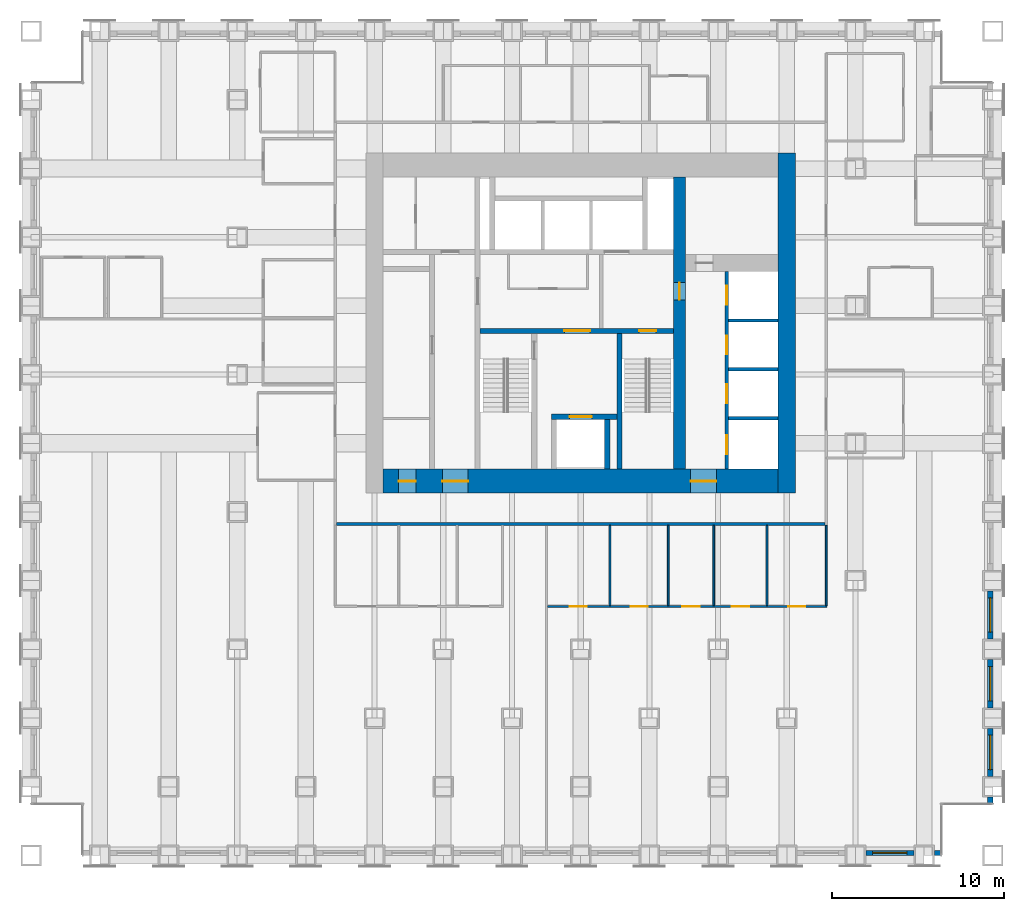
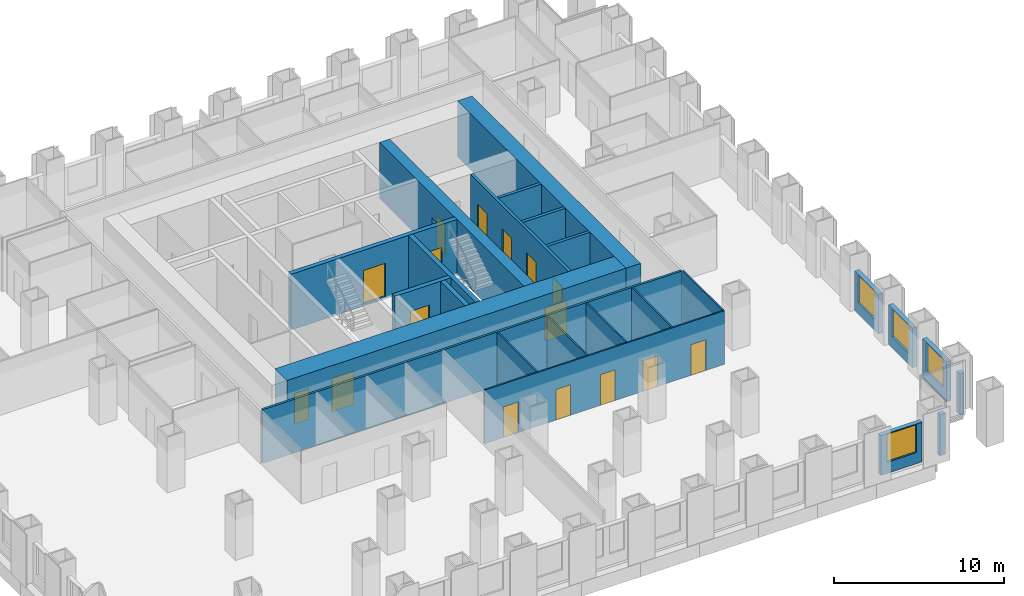
# One storey, part 10 of 15: 24 walls, 16 doors, 4 windows, 20 openings.
"""IFC4 building model written with IfcOpenShell, lengths in metres."""

from ifc_helpers import new_model, si_unit, direction, frame, frame_2d, origin, place, context, subcontext, project, spatial, rectangle, extrude, material, layer, layer_set, type_object, element, fill, save


model = new_model("IFC4")

# Units and contexts
model_context = context("Model", 3, precision=1e-05, world=origin(), true_north=direction((0.0, 1.0)))
body_context = subcontext(model_context, "Body", "Model", "MODEL_VIEW")
ifc_project = project(units=[si_unit("LENGTHUNIT", "METRE"), si_unit("AREAUNIT", "SQUARE_METRE"), si_unit("VOLUMEUNIT", "CUBIC_METRE"), si_unit("PLANEANGLEUNIT", "RADIAN"), si_unit("MASSUNIT", "GRAM", prefix="KILO")], contexts=[model_context])

# Site, building, storey
site_placement = place(None, origin())
site = spatial("IfcSite", under=ifc_project, at=site_placement, CompositionType="ELEMENT")
building_placement = place(site_placement, origin())
building = spatial("IfcBuilding", under=site, at=building_placement, Name="Rimbunsela Tower", CompositionType="ELEMENT")
storey_placement = place(building_placement, frame((0.0, 0.0, 19.0)))
storey = spatial("IfcBuildingStorey", under=building, at=storey_placement, Name="L04", CompositionType="ELEMENT", Elevation=19.0)

# Wall, openings, doors
ifc_material_1 = material(Name="Concrete fc' 80 MPa", Category="concrete")
ifc_layer_1 = layer(ifc_material_1, 0.300048828125)
ifc_layer_set_1 = layer_set([ifc_layer_1], Name="Core internal wall 300")
wall_type_1 = type_object("IfcWallType", Name="Core internal wall 300", PredefinedType="SHEAR", material=ifc_layer_set_1)
wall_1_placement = place(storey_placement, frame((24.14990234375, 26.550048828125, -0.14990234375), z_axis=(0.0, 0.0, 1.0), x_axis=(1.0, 0.0, 0.0)))
wall_1 = element("IfcWall", 1, at=wall_1_placement, inside=storey, type_object=wall_type_1, Name="Core wall lobby south", PredefinedType="SHEAR", context=body_context, shape_type="SweptSolid", body=[
    extrude(rectangle(XDim=11.25, YDim=0.300048828125, at=frame_2d((5.625, 0.0))), origin(), (0.0, 0.0, 1.0), 4.0),
])
opening_1_placement = place(wall_1_placement, frame((9.25, 0.0, 0.14990234375)))
opening_1 = element("IfcOpeningElement", 2, at=opening_1_placement, cuts=wall_1, Name="Opening D01", PredefinedType="OPENING", context=body_context, shape_type="SweptSolid", body=[
    extrude(rectangle(XDim=1.0, YDim=2.199951171875, at=frame_2d((0.5, 1.10009765625))), frame((0.0, 0.159912109375, 0.0), z_axis=(0.0, -1.0, 0.0), x_axis=(1.0, 0.0, 0.0)), (0.0, 0.0, 1.0), 0.320068359375),
])
opening_2_placement = place(wall_1_placement, frame((4.89990234375, 0.0, 0.14990234375)))
opening_2 = element("IfcOpeningElement", 3, at=opening_2_placement, cuts=wall_1, Name="Opening D03", PredefinedType="OPENING", context=body_context, shape_type="SweptSolid", body=[
    extrude(rectangle(XDim=1.5, YDim=2.39990234375, at=frame_2d((0.75, 1.199951171875))), frame((0.0, 0.159912109375, 0.0), z_axis=(0.0, -1.0, 0.0), x_axis=(1.0, 0.0, 0.0)), (0.0, 0.0, 1.0), 0.320068359375),
])
ifc_material_2 = material(Name="Steel door, fire rated", Category="steel")
door_type_1 = type_object("IfcDoorType", Name="Core lobby door 1500", OperationType="DOUBLE_DOOR_DOUBLE_SWING", PredefinedType="DOOR", material=ifc_material_2)
door_1_placement = place(opening_2_placement, origin())
door_1 = element("IfcDoor", 4, at=door_1_placement, inside=storey, type_object=door_type_1, Name="Firefighting lobby door", OperationType="DOUBLE_DOOR_DOUBLE_SWING", OverallHeight=2.39990234375, OverallWidth=1.5, PredefinedType="DOOR", context=body_context, shape_type="SweptSolid", body=[
    extrude(rectangle(XDim=1.5, YDim=2.39990234375, at=frame_2d((0.75, 1.199951171875))), frame((0.0, 0.02490234375, 0.0), z_axis=(0.0, -1.0, 0.0), x_axis=(1.0, 0.0, 0.0)), (0.0, 0.0, 1.0), 0.050048828125),
])
fill(opening_2, door_1)
ifc_material_3 = material(Name="Steel door, fire rated", Category="steel")
door_type_2 = type_object("IfcDoorType", Name="Stair door 1000", OperationType="SINGLE_SWING_RIGHT", PredefinedType="DOOR", material=ifc_material_3)
door_2_placement = place(opening_1_placement, frame((1.0, 0.0, 0.0), z_axis=(0.0, 0.0, 1.0), x_axis=(-1.0, 0.0, 0.0)))
door_2 = element("IfcDoor", 5, at=door_2_placement, inside=storey, type_object=door_type_2, Name="Stair B door", OperationType="SINGLE_SWING_RIGHT", OverallHeight=2.199951171875, OverallWidth=1.0, PredefinedType="DOOR", context=body_context, shape_type="SweptSolid", body=[
    extrude(rectangle(XDim=1.0, YDim=2.199951171875, at=frame_2d((0.5, 1.10009765625))), frame((0.0, 0.02490234375, 0.0), z_axis=(0.0, -1.0, 0.0), x_axis=(1.0, 0.0, 0.0)), (0.0, 0.0, 1.0), 0.050048828125),
])
fill(opening_1, door_2)

# Walls
wall_2_placement = place(storey_placement, frame((32.25, 18.5, -0.14990234375), z_axis=(0.0, 0.0, 1.0), x_axis=(0.0, 1.0, 0.0)))
element("IfcWall", 6, at=wall_2_placement, inside=storey, type_object=wall_type_1, Name="Stair B enclosure", PredefinedType="SHEAR", context=body_context, shape_type="SweptSolid", body=[
    extrude(rectangle(XDim=7.89990234375, YDim=0.300048828125, at=frame_2d((3.949951171875, 0.0))), origin(), (0.0, 0.0, 1.0), 4.0),
])
wall_3_placement = place(storey_placement, frame((31.550048828125, 18.5, -0.14990234375), z_axis=(0.0, 0.0, 1.0), x_axis=(0.0, 1.0, 0.0)))
element("IfcWall", 7, at=wall_3_placement, inside=storey, type_object=wall_type_1, Name="Firefighting lift shaft east", PredefinedType="SHEAR", context=body_context, shape_type="SweptSolid", body=[
    extrude(rectangle(XDim=2.89990234375, YDim=0.300048828125, at=frame_2d((1.449951171875, 0.0))), origin(), (0.0, 0.0, 1.0), 4.0),
])

# Wall, opening, door
wall_4_placement = place(storey_placement, frame((28.300048828125, 21.550048828125, -0.14990234375), z_axis=(0.0, 0.0, 1.0), x_axis=(1.0, 0.0, 0.0)))
wall_4 = element("IfcWall", 8, at=wall_4_placement, inside=storey, type_object=wall_type_1, Name="Firefighting lift shaft front", PredefinedType="SHEAR", context=body_context, shape_type="SweptSolid", body=[
    extrude(rectangle(XDim=3.800048828125, YDim=0.300048828125, at=frame_2d((1.89990234375, 0.0))), origin(), (0.0, 0.0, 1.0), 4.0),
])
opening_3_placement = place(wall_4_placement, frame((1.050048828125, 0.0, 0.14990234375)))
opening_3 = element("IfcOpeningElement", 9, at=opening_3_placement, cuts=wall_4, Name="Opening LD2", PredefinedType="OPENING", context=body_context, shape_type="SweptSolid", body=[
    extrude(rectangle(XDim=1.300048828125, YDim=2.39990234375, at=frame_2d((0.64990234375, 1.199951171875))), frame((0.0, 0.159912109375, 0.0), z_axis=(0.0, -1.0, 0.0), x_axis=(1.0, 0.0, 0.0)), (0.0, 0.0, 1.0), 0.320068359375),
])
ifc_material_4 = material(Name="Steel door, fire rated", Category="steel")
door_type_3 = type_object("IfcDoorType", Name="Lift landing door 1300", OperationType="DOUBLE_DOOR_SLIDING", PredefinedType="DOOR", material=ifc_material_4)
door_3_placement = place(opening_3_placement, origin())
door_3 = element("IfcDoor", 10, at=door_3_placement, inside=storey, type_object=door_type_3, Name="Lift landing door FL1", OperationType="DOUBLE_DOOR_SLIDING", OverallHeight=2.39990234375, OverallWidth=1.300048828125, PredefinedType="DOOR", context=body_context, shape_type="SweptSolid", body=[
    extrude(rectangle(XDim=1.300048828125, YDim=2.39990234375, at=frame_2d((0.64990234375, 1.199951171875))), frame((0.0, 0.02490234375, 0.0), z_axis=(0.0, -1.0, 0.0), x_axis=(1.0, 0.0, 0.0)), (0.0, 0.0, 1.0), 0.050048828125),
])
fill(opening_3, door_3)

# Wall
ifc_material_5 = material(Name="Concrete fc' 80 MPa", Category="concrete")
ifc_layer_2 = layer(ifc_material_5, 1.0)
ifc_layer_set_2 = layer_set([ifc_layer_2], Name="Core wall 1000")
wall_type_2 = type_object("IfcWallType", Name="Core wall 1000", PredefinedType="SHEAR", material=ifc_layer_set_2)
wall_5_placement = place(storey_placement, frame((42.0, 17.10009765625, -0.14990234375), z_axis=(0.0, 0.0, 1.0), x_axis=(0.0, 1.0, 0.0)))
element("IfcWall", 11, at=wall_5_placement, inside=storey, type_object=wall_type_2, Name="Core wall east", PredefinedType="SHEAR", context=body_context, shape_type="SweptSolid", body=[
    extrude(rectangle(XDim=19.7998046875, YDim=1.0, at=frame_2d((9.89990234375, 0.0))), origin(), (0.0, 0.0, 1.0), 4.0),
])

# Wall, openings, doors
ifc_material_6 = material(Name="Concrete fc' 80 MPa", Category="concrete")
ifc_layer_3 = layer(ifc_material_6, 1.39990234375)
ifc_layer_set_3 = layer_set([ifc_layer_3], Name="Core wall 1400")
wall_type_3 = type_object("IfcWallType", Name="Core wall 1400", PredefinedType="SHEAR", material=ifc_layer_set_3)
wall_6_placement = place(storey_placement, frame((18.5, 17.800048828125, -0.14990234375), z_axis=(0.0, 0.0, 1.0), x_axis=(1.0, 0.0, 0.0)))
wall_6 = element("IfcWall", 12, at=wall_6_placement, inside=storey, type_object=wall_type_3, Name="Core wall south", PredefinedType="SHEAR", context=body_context, shape_type="SweptSolid", body=[
    extrude(rectangle(XDim=23.0, YDim=1.39990234375, at=frame_2d((11.5, 0.0))), origin(), (0.0, 0.0, 1.0), 4.0),
])
opening_4_placement = place(wall_6_placement, frame((3.449951171875, 0.0, 0.14990234375)))
opening_4 = element("IfcOpeningElement", 13, at=opening_4_placement, cuts=wall_6, Name="Opening D03", PredefinedType="OPENING", context=body_context, shape_type="SweptSolid", body=[
    extrude(rectangle(XDim=1.5, YDim=2.39990234375, at=frame_2d((0.75, 1.199951171875))), frame((0.0, 0.7099609375, 0.0), z_axis=(0.0, -1.0, 0.0), x_axis=(1.0, 0.0, 0.0)), (0.0, 0.0, 1.0), 1.419921875),
])
opening_5_placement = place(wall_6_placement, frame((17.89990234375, 0.0, 0.14990234375)))
opening_5 = element("IfcOpeningElement", 14, at=opening_5_placement, cuts=wall_6, Name="Opening D03", PredefinedType="OPENING", context=body_context, shape_type="SweptSolid", body=[
    extrude(rectangle(XDim=1.5, YDim=2.39990234375, at=frame_2d((0.75, 1.199951171875))), frame((0.0, 0.7099609375, 0.0), z_axis=(0.0, -1.0, 0.0), x_axis=(1.0, 0.0, 0.0)), (0.0, 0.0, 1.0), 1.419921875),
])
opening_6_placement = place(wall_6_placement, frame((0.89990234375, 0.0, 0.14990234375)))
opening_6 = element("IfcOpeningElement", 15, at=opening_6_placement, cuts=wall_6, Name="Opening D19", PredefinedType="OPENING", context=body_context, shape_type="SweptSolid", body=[
    extrude(rectangle(XDim=1.0, YDim=2.199951171875, at=frame_2d((0.5, 1.10009765625))), frame((0.0, 0.7099609375, 0.0), z_axis=(0.0, -1.0, 0.0), x_axis=(1.0, 0.0, 0.0)), (0.0, 0.0, 1.0), 1.419921875),
])
door_4_placement = place(opening_4_placement, origin())
door_4 = element("IfcDoor", 16, at=door_4_placement, inside=storey, type_object=door_type_1, Name="Core door south", OperationType="DOUBLE_DOOR_DOUBLE_SWING", OverallHeight=2.39990234375, OverallWidth=1.5, PredefinedType="DOOR", context=body_context, shape_type="SweptSolid", body=[
    extrude(rectangle(XDim=1.5, YDim=2.39990234375, at=frame_2d((0.75, 1.199951171875))), frame((0.0, 0.02490234375, 0.0), z_axis=(0.0, -1.0, 0.0), x_axis=(1.0, 0.0, 0.0)), (0.0, 0.0, 1.0), 0.050048828125),
])
fill(opening_4, door_4)
door_5_placement = place(opening_5_placement, origin())
door_5 = element("IfcDoor", 17, at=door_5_placement, inside=storey, type_object=door_type_1, Name="Core door south-east", OperationType="DOUBLE_DOOR_DOUBLE_SWING", OverallHeight=2.39990234375, OverallWidth=1.5, PredefinedType="DOOR", context=body_context, shape_type="SweptSolid", body=[
    extrude(rectangle(XDim=1.5, YDim=2.39990234375, at=frame_2d((0.75, 1.199951171875))), frame((0.0, 0.02490234375, 0.0), z_axis=(0.0, -1.0, 0.0), x_axis=(1.0, 0.0, 0.0)), (0.0, 0.0, 1.0), 0.050048828125),
])
fill(opening_5, door_5)
ifc_material_7 = material(Name="Steel door, fire rated", Category="steel")
door_type_4 = type_object("IfcDoorType", Name="Service door 1000 fire rated", OperationType="SINGLE_SWING_LEFT", PredefinedType="DOOR", material=ifc_material_7)
door_6_placement = place(opening_6_placement, origin())
door_6 = element("IfcDoor", 18, at=door_6_placement, inside=storey, type_object=door_type_4, Name="Electrical room door", OperationType="SINGLE_SWING_LEFT", OverallHeight=2.199951171875, OverallWidth=1.0, PredefinedType="DOOR", context=body_context, shape_type="SweptSolid", body=[
    extrude(rectangle(XDim=1.0, YDim=2.199951171875, at=frame_2d((0.5, 1.10009765625))), frame((0.0, 0.02490234375, 0.0), z_axis=(0.0, -1.0, 0.0), x_axis=(1.0, 0.0, 0.0)), (0.0, 0.0, 1.0), 0.050048828125),
])
fill(opening_6, door_6)

# Wall, opening, door
ifc_material_8 = material(Name="Concrete fc' 80 MPa", Category="concrete")
ifc_layer_4 = layer(ifc_material_8, 0.699951171875)
ifc_layer_set_4 = layer_set([ifc_layer_4], Name="Core wall 700 east")
wall_type_4 = type_object("IfcWallType", Name="Core wall 700 east", PredefinedType="SHEAR", material=ifc_layer_set_4)
wall_7_placement = place(storey_placement, frame((35.75, 18.5, -0.14990234375), z_axis=(0.0, 0.0, 1.0), x_axis=(0.0, 1.0, 0.0)))
wall_7 = element("IfcWall", 19, at=wall_7_placement, inside=storey, type_object=wall_type_4, Name="Core wall low-rise bank", PredefinedType="SHEAR", context=body_context, shape_type="SweptSolid", body=[
    extrude(rectangle(XDim=17.0, YDim=0.699951171875, at=frame_2d((8.5, 0.0))), origin(), (0.0, 0.0, 1.0), 4.0),
])
opening_7_placement = place(wall_7_placement, frame((9.85009765625, 0.0, 0.14990234375)))
opening_7 = element("IfcOpeningElement", 20, at=opening_7_placement, cuts=wall_7, Name="Opening D01", PredefinedType="OPENING", context=body_context, shape_type="SweptSolid", body=[
    extrude(rectangle(XDim=1.0, YDim=2.199951171875, at=frame_2d((0.5, 1.10009765625))), frame((0.0, 0.35986328125, 0.0), z_axis=(0.0, -1.0, 0.0), x_axis=(1.0, 0.0, 0.0)), (0.0, 0.0, 1.0), 0.719970703125),
])
door_7_placement = place(opening_7_placement, origin())
door_7 = element("IfcDoor", 21, at=door_7_placement, inside=storey, type_object=door_type_2, Name="Firefighting lobby 2 door", OperationType="SINGLE_SWING_RIGHT", OverallHeight=2.199951171875, OverallWidth=1.0, PredefinedType="DOOR", context=body_context, shape_type="SweptSolid", body=[
    extrude(rectangle(XDim=1.0, YDim=2.199951171875, at=frame_2d((0.5, 1.10009765625))), frame((0.0, 0.02490234375, 0.0), z_axis=(0.0, -1.0, 0.0), x_axis=(1.0, 0.0, 0.0)), (0.0, 0.0, 1.0), 0.050048828125),
])
fill(opening_7, door_7)

# Wall, openings, doors
ifc_material_9 = material(Name="Concrete blockwork", Category="masonry")
ifc_layer_5 = layer(ifc_material_9, 0.199951171875)
ifc_layer_set_5 = layer_set([ifc_layer_5], Name="Lift shaft wall 200")
wall_type_5 = type_object("IfcWallType", Name="Lift shaft wall 200", PredefinedType="SOLIDWALL", material=ifc_layer_set_5)
wall_8_placement = place(storey_placement, frame((38.5, 18.5, -0.14990234375), z_axis=(0.0, 0.0, 1.0), x_axis=(0.0, 1.0, 0.0)))
wall_8 = element("IfcWall", 22, at=wall_8_placement, inside=storey, type_object=wall_type_5, Name="Lift shaft front east", PredefinedType="SOLIDWALL", context=body_context, shape_type="SweptSolid", body=[
    extrude(rectangle(XDim=11.5, YDim=0.199951171875, at=frame_2d((5.75, 0.0))), origin(), (0.0, 0.0, 1.0), 4.0),
])
opening_8_placement = place(wall_8_placement, frame((0.875, 0.0, 0.14990234375)))
opening_8 = element("IfcOpeningElement", 23, at=opening_8_placement, cuts=wall_8, Name="Opening LD1", PredefinedType="OPENING", context=body_context, shape_type="SweptSolid", body=[
    extrude(rectangle(XDim=1.10009765625, YDim=2.199951171875, at=frame_2d((0.550048828125, 1.10009765625))), frame((0.0, 0.10986328125, 0.0), z_axis=(0.0, -1.0, 0.0), x_axis=(1.0, 0.0, 0.0)), (0.0, 0.0, 1.0), 0.219970703125),
])
opening_9_placement = place(wall_8_placement, frame((3.824951171875, 0.0, 0.14990234375)))
opening_9 = element("IfcOpeningElement", 24, at=opening_9_placement, cuts=wall_8, Name="Opening LD1", PredefinedType="OPENING", context=body_context, shape_type="SweptSolid", body=[
    extrude(rectangle(XDim=1.10009765625, YDim=2.199951171875, at=frame_2d((0.550048828125, 1.10009765625))), frame((0.0, 0.10986328125, 0.0), z_axis=(0.0, -1.0, 0.0), x_axis=(1.0, 0.0, 0.0)), (0.0, 0.0, 1.0), 0.219970703125),
])
opening_10_placement = place(wall_8_placement, frame((6.675048828125, 0.0, 0.14990234375)))
opening_10 = element("IfcOpeningElement", 25, at=opening_10_placement, cuts=wall_8, Name="Opening LD1", PredefinedType="OPENING", context=body_context, shape_type="SweptSolid", body=[
    extrude(rectangle(XDim=1.10009765625, YDim=2.199951171875, at=frame_2d((0.550048828125, 1.10009765625))), frame((0.0, 0.10986328125, 0.0), z_axis=(0.0, -1.0, 0.0), x_axis=(1.0, 0.0, 0.0)), (0.0, 0.0, 1.0), 0.219970703125),
])
opening_11_placement = place(wall_8_placement, frame((9.574951171875, 0.0, 0.14990234375)))
opening_11 = element("IfcOpeningElement", 26, at=opening_11_placement, cuts=wall_8, Name="Opening LD1", PredefinedType="OPENING", context=body_context, shape_type="SweptSolid", body=[
    extrude(rectangle(XDim=1.10009765625, YDim=2.199951171875, at=frame_2d((0.550048828125, 1.10009765625))), frame((0.0, 0.10986328125, 0.0), z_axis=(0.0, -1.0, 0.0), x_axis=(1.0, 0.0, 0.0)), (0.0, 0.0, 1.0), 0.219970703125),
])
ifc_material_10 = material(Name="Steel door, fire rated", Category="steel")
door_type_5 = type_object("IfcDoorType", Name="Lift landing door 1100", OperationType="DOUBLE_DOOR_SLIDING", PredefinedType="DOOR", material=ifc_material_10)
door_8_placement = place(opening_8_placement, origin())
door_8 = element("IfcDoor", 27, at=door_8_placement, inside=storey, type_object=door_type_5, Name="Lift landing door LL1", OperationType="DOUBLE_DOOR_SLIDING", OverallHeight=2.199951171875, OverallWidth=1.10009765625, PredefinedType="DOOR", context=body_context, shape_type="SweptSolid", body=[
    extrude(rectangle(XDim=1.10009765625, YDim=2.199951171875, at=frame_2d((0.550048828125, 1.10009765625))), frame((0.0, 0.02490234375, 0.0), z_axis=(0.0, -1.0, 0.0), x_axis=(1.0, 0.0, 0.0)), (0.0, 0.0, 1.0), 0.050048828125),
])
fill(opening_8, door_8)
door_9_placement = place(opening_9_placement, origin())
door_9 = element("IfcDoor", 28, at=door_9_placement, inside=storey, type_object=door_type_5, Name="Lift landing door LL2", OperationType="DOUBLE_DOOR_SLIDING", OverallHeight=2.199951171875, OverallWidth=1.10009765625, PredefinedType="DOOR", context=body_context, shape_type="SweptSolid", body=[
    extrude(rectangle(XDim=1.10009765625, YDim=2.199951171875, at=frame_2d((0.550048828125, 1.10009765625))), frame((0.0, 0.02490234375, 0.0), z_axis=(0.0, -1.0, 0.0), x_axis=(1.0, 0.0, 0.0)), (0.0, 0.0, 1.0), 0.050048828125),
])
fill(opening_9, door_9)
door_10_placement = place(opening_10_placement, origin())
door_10 = element("IfcDoor", 29, at=door_10_placement, inside=storey, type_object=door_type_5, Name="Lift landing door LL3", OperationType="DOUBLE_DOOR_SLIDING", OverallHeight=2.199951171875, OverallWidth=1.10009765625, PredefinedType="DOOR", context=body_context, shape_type="SweptSolid", body=[
    extrude(rectangle(XDim=1.10009765625, YDim=2.199951171875, at=frame_2d((0.550048828125, 1.10009765625))), frame((0.0, 0.02490234375, 0.0), z_axis=(0.0, -1.0, 0.0), x_axis=(1.0, 0.0, 0.0)), (0.0, 0.0, 1.0), 0.050048828125),
])
fill(opening_10, door_10)
door_11_placement = place(opening_11_placement, origin())
door_11 = element("IfcDoor", 30, at=door_11_placement, inside=storey, type_object=door_type_5, Name="Lift landing door LL4", OperationType="DOUBLE_DOOR_SLIDING", OverallHeight=2.199951171875, OverallWidth=1.10009765625, PredefinedType="DOOR", context=body_context, shape_type="SweptSolid", body=[
    extrude(rectangle(XDim=1.10009765625, YDim=2.199951171875, at=frame_2d((0.550048828125, 1.10009765625))), frame((0.0, 0.02490234375, 0.0), z_axis=(0.0, -1.0, 0.0), x_axis=(1.0, 0.0, 0.0)), (0.0, 0.0, 1.0), 0.050048828125),
])
fill(opening_11, door_11)

# Walls
for number, where, z_axis, x_axis, name in (
    (31, (38.60009765625, 21.449951171875, -0.14990234375), (0.0, 0.0, 1.0), (1.0, 0.0, 0.0), "Lift shaft separation"),
    (32, (38.60009765625, 24.300048828125, -0.14990234375), (0.0, 0.0, 1.0), (1.0, 0.0, 0.0), "Lift shaft separation"),
    (33, (38.60009765625, 27.14990234375, -0.14990234375), (0.0, 0.0, 1.0), (1.0, 0.0, 0.0), "Lift shaft separation"),
):
    element("IfcWall", number, at=place(storey_placement, frame(where, z_axis=z_axis, x_axis=x_axis)), inside=storey, type_object=wall_type_5, Name=name, PredefinedType="SOLIDWALL", context=body_context, shape_type="SweptSolid", body=[
        extrude(rectangle(XDim=2.89990234375, YDim=0.199951171875, at=frame_2d((1.449951171875, 0.0))), origin(), (0.0, 0.0, 1.0), 4.0),
    ])

# Wall, openings, doors
ifc_material_11 = material(Name="Gypsum board on steel studs", Category="steel")
ifc_layer_6 = layer(ifc_material_11, 0.10009765625)
ifc_layer_set_6 = layer_set([ifc_layer_6], Name="Office partition 100")
wall_type_6 = type_object("IfcWallType", Name="Office partition 100", PredefinedType="PARTITIONING", material=ifc_layer_set_6)
wall_9_placement = place(storey_placement, frame((28.06103515625, 10.5, 0.0), z_axis=(0.0, 0.0, 1.0), x_axis=(1.0, 0.0, 0.0)))
wall_9 = element("IfcWall", 34, at=wall_9_placement, inside=storey, type_object=wall_type_6, Name="Office partition", PredefinedType="PARTITIONING", context=body_context, shape_type="SweptSolid", body=[
    extrude(rectangle(XDim=16.2890625, YDim=0.10009765625, at=frame_2d((8.14453125, 0.0))), origin(), (0.0, 0.0, 1.0), 3.85009765625),
])
opening_12_placement = place(wall_9_placement, frame((1.2900390625, 0.0, 0.0)))
opening_12 = element("IfcOpeningElement", 35, at=opening_12_placement, cuts=wall_9, Name="Opening D17", PredefinedType="OPENING", context=body_context, shape_type="SweptSolid", body=[
    extrude(rectangle(XDim=1.0, YDim=2.199951171875, at=frame_2d((0.5, 1.10009765625))), frame((0.0, 0.06005859375, 0.0), z_axis=(0.0, -1.0, 0.0), x_axis=(1.0, 0.0, 0.0)), (0.0, 0.0, 1.0), 0.1201171875),
])
opening_13_placement = place(wall_9_placement, frame((4.840087890625, 0.0, 0.0)))
opening_13 = element("IfcOpeningElement", 36, at=opening_13_placement, cuts=wall_9, Name="Opening D16", PredefinedType="OPENING", context=body_context, shape_type="SweptSolid", body=[
    extrude(rectangle(XDim=1.0, YDim=2.199951171875, at=frame_2d((0.5, 1.10009765625))), frame((0.0, 0.06005859375, 0.0), z_axis=(0.0, -1.0, 0.0), x_axis=(1.0, 0.0, 0.0)), (0.0, 0.0, 1.0), 0.1201171875),
])
opening_14_placement = place(wall_9_placement, frame((7.864990234375, 0.0, 0.0)))
opening_14 = element("IfcOpeningElement", 37, at=opening_14_placement, cuts=wall_9, Name="Opening D16", PredefinedType="OPENING", context=body_context, shape_type="SweptSolid", body=[
    extrude(rectangle(XDim=1.0, YDim=2.199951171875, at=frame_2d((0.5, 1.10009765625))), frame((0.0, 0.06005859375, 0.0), z_axis=(0.0, -1.0, 0.0), x_axis=(1.0, 0.0, 0.0)), (0.0, 0.0, 1.0), 0.1201171875),
])
opening_15_placement = place(wall_9_placement, frame((10.739990234375, 0.0, 0.0)))
opening_15 = element("IfcOpeningElement", 38, at=opening_15_placement, cuts=wall_9, Name="Opening D16", PredefinedType="OPENING", context=body_context, shape_type="SweptSolid", body=[
    extrude(rectangle(XDim=1.0, YDim=2.199951171875, at=frame_2d((0.5, 1.10009765625))), frame((0.0, 0.06005859375, 0.0), z_axis=(0.0, -1.0, 0.0), x_axis=(1.0, 0.0, 0.0)), (0.0, 0.0, 1.0), 0.1201171875),
])
opening_16_placement = place(wall_9_placement, frame((14.014404296875, 0.0, 0.0)))
opening_16 = element("IfcOpeningElement", 39, at=opening_16_placement, cuts=wall_9, Name="Opening D16", PredefinedType="OPENING", context=body_context, shape_type="SweptSolid", body=[
    extrude(rectangle(XDim=1.0, YDim=2.199951171875, at=frame_2d((0.5, 1.10009765625))), frame((0.0, 0.06005859375, 0.0), z_axis=(0.0, -1.0, 0.0), x_axis=(1.0, 0.0, 0.0)), (0.0, 0.0, 1.0), 0.1201171875),
])
ifc_material_12 = material(Name="Glazed aluminium door", Category="aluminium")
door_type_6 = type_object("IfcDoorType", Name="Meeting room door 1000 glazed", OperationType="SINGLE_SWING_RIGHT", PredefinedType="DOOR", material=ifc_material_12)
door_12_placement = place(opening_12_placement, origin())
door_12 = element("IfcDoor", 40, at=door_12_placement, inside=storey, type_object=door_type_6, Name="Meeting room door", OperationType="SINGLE_SWING_RIGHT", OverallHeight=2.199951171875, OverallWidth=1.0, PredefinedType="DOOR", context=body_context, shape_type="SweptSolid", body=[
    extrude(rectangle(XDim=1.0, YDim=2.199951171875, at=frame_2d((0.5, 1.10009765625))), frame((0.0, 0.02490234375, 0.0), z_axis=(0.0, -1.0, 0.0), x_axis=(1.0, 0.0, 0.0)), (0.0, 0.0, 1.0), 0.050048828125),
])
fill(opening_12, door_12)
ifc_material_13 = material(Name="Timber door", Category="wood")
door_type_7 = type_object("IfcDoorType", Name="Office door 1000", OperationType="SINGLE_SWING_LEFT", PredefinedType="DOOR", material=ifc_material_13)
door_13_placement = place(opening_13_placement, origin())
door_13 = element("IfcDoor", 41, at=door_13_placement, inside=storey, type_object=door_type_7, Name="Office door", OperationType="SINGLE_SWING_LEFT", OverallHeight=2.199951171875, OverallWidth=1.0, PredefinedType="DOOR", context=body_context, shape_type="SweptSolid", body=[
    extrude(rectangle(XDim=1.0, YDim=2.199951171875, at=frame_2d((0.5, 1.10009765625))), frame((0.0, 0.02490234375, 0.0), z_axis=(0.0, -1.0, 0.0), x_axis=(1.0, 0.0, 0.0)), (0.0, 0.0, 1.0), 0.050048828125),
])
fill(opening_13, door_13)
door_14_placement = place(opening_14_placement, origin())
door_14 = element("IfcDoor", 42, at=door_14_placement, inside=storey, type_object=door_type_7, Name="Office door", OperationType="SINGLE_SWING_LEFT", OverallHeight=2.199951171875, OverallWidth=1.0, PredefinedType="DOOR", context=body_context, shape_type="SweptSolid", body=[
    extrude(rectangle(XDim=1.0, YDim=2.199951171875, at=frame_2d((0.5, 1.10009765625))), frame((0.0, 0.02490234375, 0.0), z_axis=(0.0, -1.0, 0.0), x_axis=(1.0, 0.0, 0.0)), (0.0, 0.0, 1.0), 0.050048828125),
])
fill(opening_14, door_14)
door_15_placement = place(opening_15_placement, origin())
door_15 = element("IfcDoor", 43, at=door_15_placement, inside=storey, type_object=door_type_7, Name="Office door", OperationType="SINGLE_SWING_LEFT", OverallHeight=2.199951171875, OverallWidth=1.0, PredefinedType="DOOR", context=body_context, shape_type="SweptSolid", body=[
    extrude(rectangle(XDim=1.0, YDim=2.199951171875, at=frame_2d((0.5, 1.10009765625))), frame((0.0, 0.02490234375, 0.0), z_axis=(0.0, -1.0, 0.0), x_axis=(1.0, 0.0, 0.0)), (0.0, 0.0, 1.0), 0.050048828125),
])
fill(opening_15, door_15)
door_16_placement = place(opening_16_placement, origin())
door_16 = element("IfcDoor", 44, at=door_16_placement, inside=storey, type_object=door_type_7, Name="Office door", OperationType="SINGLE_SWING_LEFT", OverallHeight=2.199951171875, OverallWidth=1.0, PredefinedType="DOOR", context=body_context, shape_type="SweptSolid", body=[
    extrude(rectangle(XDim=1.0, YDim=2.199951171875, at=frame_2d((0.5, 1.10009765625))), frame((0.0, 0.02490234375, 0.0), z_axis=(0.0, -1.0, 0.0), x_axis=(1.0, 0.0, 0.0)), (0.0, 0.0, 1.0), 0.050048828125),
])
fill(opening_16, door_16)

# Walls
for number, where, z_axis, x_axis, name in (
    (45, (31.700927734375, 10.550048828125, 0.0), (0.0, 0.0, 1.0), (0.0, 1.0, 0.0), "Office partition"),
    (46, (35.10107421875, 10.550048828125, 0.0), (0.0, 0.0, 1.0), (0.0, 1.0, 0.0), "Office partition"),
    (47, (37.7509765625, 10.550048828125, 0.0), (0.0, 0.0, 1.0), (0.0, 1.0, 0.0), "Office partition"),
    (48, (40.85107421875, 10.550048828125, 0.0), (0.0, 0.0, 1.0), (0.0, 1.0, 0.0), "Office partition"),
    (49, (44.300048828125, 10.550048828125, 0.0), (0.0, 0.0, 1.0), (0.0, 1.0, 0.0), "Office partition"),
):
    element("IfcWall", number, at=place(storey_placement, frame(where, z_axis=z_axis, x_axis=x_axis)), inside=storey, type_object=wall_type_6, Name=name, PredefinedType="PARTITIONING", context=body_context, shape_type="SweptSolid", body=[
        extrude(rectangle(XDim=4.675048828125, YDim=0.10009765625, at=frame_2d((2.33740234375, 0.0))), origin(), (0.0, 0.0, 1.0), 3.85009765625),
    ])

# Wall, opening, window
ifc_material_14 = material(Name="Precast concrete fc' 35 MPa", Category="concrete")
ifc_layer_7 = layer(ifc_material_14, 0.300048828125)
ifc_layer_set_7 = layer_set([ifc_layer_7], Name="Precast concrete fc' 35 MPa")
wall_type_7 = type_object("IfcWallType", Name="Precast facade panel 300", PredefinedType="ELEMENTEDWALL", material=ifc_layer_set_7)
wall_10_placement = place(storey_placement, frame((46.60009765625, -3.85009765625, 0.0), z_axis=(0.0, 0.0, 1.0), x_axis=(1.0, 0.0, 0.0)))
wall_10 = element("IfcWall", 50, at=wall_10_placement, inside=storey, type_object=wall_type_7, Name="Facade panel S L04", PredefinedType="ELEMENTEDWALL", context=body_context, shape_type="SweptSolid", body=[
    extrude(rectangle(XDim=2.7998046875, YDim=0.300048828125, at=frame_2d((1.39990234375, 0.0))), origin(), (0.0, 0.0, 1.0), 2.85009765625),
])
opening_17_placement = place(wall_10_placement, frame((0.39990234375, 0.0, 0.800048828125)))
opening_17 = element("IfcOpeningElement", 51, at=opening_17_placement, cuts=wall_10, Name="Opening W1", PredefinedType="OPENING", context=body_context, shape_type="SweptSolid", body=[
    extrude(rectangle(XDim=2.0, YDim=2.0, at=frame_2d((1.0, 1.0))), frame((0.0, 0.159912109375, 0.0), z_axis=(0.0, -1.0, 0.0), x_axis=(1.0, 0.0, 0.0)), (0.0, 0.0, 1.0), 0.320068359375),
])
ifc_material_15 = material(Name="Clear glass in aluminium frame", Category="aluminium")
window_type = type_object("IfcWindowType", Name="Window W1 2000x2000", PartitioningType="DOUBLE_PANEL_VERTICAL", PredefinedType="WINDOW", material=ifc_material_15)
window_1_placement = place(opening_17_placement, origin())
window_1 = element("IfcWindow", 52, at=window_1_placement, inside=storey, type_object=window_type, Name="Window L04", OverallHeight=2.0, OverallWidth=2.0, PartitioningType="SINGLE_PANEL", PredefinedType="WINDOW", context=body_context, shape_type="SweptSolid", body=[
    extrude(rectangle(XDim=2.0, YDim=2.0, at=frame_2d((1.0, 1.0))), frame((0.0, 0.030029296875, 0.0), z_axis=(0.0, -1.0, 0.0), x_axis=(1.0, 0.0, 0.0)), (0.0, 0.0, 1.0), 0.06005859375),
])
fill(opening_17, window_1)

# Walls
for number, where, z_axis, x_axis, name in (
    (53, (50.60009765625, -3.85009765625, 0.0), (0.0, 0.0, 1.0), (1.0, 0.0, 0.0), "Facade panel S L04"),
    (54, (53.85009765625, -0.969970703125, 0.0), (0.0, 0.0, 1.0), (0.0, 1.0, 0.0), "Facade panel E L04"),
):
    element("IfcWall", number, at=place(storey_placement, frame(where, z_axis=z_axis, x_axis=x_axis)), inside=storey, type_object=wall_type_7, Name=name, PredefinedType="ELEMENTEDWALL", context=body_context, shape_type="SweptSolid", body=[
        extrude(rectangle(XDim=0.369873046875, YDim=0.300048828125, at=frame_2d((0.18505859375, 0.0))), origin(), (0.0, 0.0, 1.0), 2.949951171875),
    ])

# Wall, opening, window
wall_11_placement = place(storey_placement, frame((53.85009765625, 0.60009765625, 0.0), z_axis=(0.0, 0.0, 1.0), x_axis=(0.0, 1.0, 0.0)))
wall_11 = element("IfcWall", 55, at=wall_11_placement, inside=storey, type_object=wall_type_7, Name="Facade panel E L04", PredefinedType="ELEMENTEDWALL", context=body_context, shape_type="SweptSolid", body=[
    extrude(rectangle(XDim=2.7998046875, YDim=0.300048828125, at=frame_2d((1.39990234375, 0.0))), origin(), (0.0, 0.0, 1.0), 2.85009765625),
])
opening_18_placement = place(wall_11_placement, frame((0.39990234375, 0.0, 0.800048828125)))
opening_18 = element("IfcOpeningElement", 56, at=opening_18_placement, cuts=wall_11, Name="Opening W1", PredefinedType="OPENING", context=body_context, shape_type="SweptSolid", body=[
    extrude(rectangle(XDim=2.0, YDim=2.0, at=frame_2d((1.0, 1.0))), frame((0.0, 0.159912109375, 0.0), z_axis=(0.0, -1.0, 0.0), x_axis=(1.0, 0.0, 0.0)), (0.0, 0.0, 1.0), 0.320068359375),
])
window_2_placement = place(opening_18_placement, origin())
window_2 = element("IfcWindow", 57, at=window_2_placement, inside=storey, type_object=window_type, Name="Window L04", OverallHeight=2.0, OverallWidth=2.0, PartitioningType="SINGLE_PANEL", PredefinedType="WINDOW", context=body_context, shape_type="SweptSolid", body=[
    extrude(rectangle(XDim=2.0, YDim=2.0, at=frame_2d((1.0, 1.0))), frame((0.0, 0.030029296875, 0.0), z_axis=(0.0, -1.0, 0.0), x_axis=(1.0, 0.0, 0.0)), (0.0, 0.0, 1.0), 0.06005859375),
])
fill(opening_18, window_2)

wall_12_placement = place(storey_placement, frame((53.85009765625, 4.60009765625, 0.0), z_axis=(0.0, 0.0, 1.0), x_axis=(0.0, 1.0, 0.0)))
wall_12 = element("IfcWall", 58, at=wall_12_placement, inside=storey, type_object=wall_type_7, Name="Facade panel E L04", PredefinedType="ELEMENTEDWALL", context=body_context, shape_type="SweptSolid", body=[
    extrude(rectangle(XDim=2.7998046875, YDim=0.300048828125, at=frame_2d((1.39990234375, 0.0))), origin(), (0.0, 0.0, 1.0), 2.85009765625),
])
opening_19_placement = place(wall_12_placement, frame((0.39990234375, 0.0, 0.800048828125)))
opening_19 = element("IfcOpeningElement", 59, at=opening_19_placement, cuts=wall_12, Name="Opening W1", PredefinedType="OPENING", context=body_context, shape_type="SweptSolid", body=[
    extrude(rectangle(XDim=2.0, YDim=2.0, at=frame_2d((1.0, 1.0))), frame((0.0, 0.159912109375, 0.0), z_axis=(0.0, -1.0, 0.0), x_axis=(1.0, 0.0, 0.0)), (0.0, 0.0, 1.0), 0.320068359375),
])
window_3_placement = place(opening_19_placement, origin())
window_3 = element("IfcWindow", 60, at=window_3_placement, inside=storey, type_object=window_type, Name="Window L04", OverallHeight=2.0, OverallWidth=2.0, PartitioningType="SINGLE_PANEL", PredefinedType="WINDOW", context=body_context, shape_type="SweptSolid", body=[
    extrude(rectangle(XDim=2.0, YDim=2.0, at=frame_2d((1.0, 1.0))), frame((0.0, 0.030029296875, 0.0), z_axis=(0.0, -1.0, 0.0), x_axis=(1.0, 0.0, 0.0)), (0.0, 0.0, 1.0), 0.06005859375),
])
fill(opening_19, window_3)

wall_13_placement = place(storey_placement, frame((53.85009765625, 8.60009765625, 0.0), z_axis=(0.0, 0.0, 1.0), x_axis=(0.0, 1.0, 0.0)))
wall_13 = element("IfcWall", 61, at=wall_13_placement, inside=storey, type_object=wall_type_7, Name="Facade panel E L04", PredefinedType="ELEMENTEDWALL", context=body_context, shape_type="SweptSolid", body=[
    extrude(rectangle(XDim=2.7998046875, YDim=0.300048828125, at=frame_2d((1.39990234375, 0.0))), origin(), (0.0, 0.0, 1.0), 2.85009765625),
])
opening_20_placement = place(wall_13_placement, frame((0.39990234375, 0.0, 0.800048828125)))
opening_20 = element("IfcOpeningElement", 62, at=opening_20_placement, cuts=wall_13, Name="Opening W1", PredefinedType="OPENING", context=body_context, shape_type="SweptSolid", body=[
    extrude(rectangle(XDim=2.0, YDim=2.0, at=frame_2d((1.0, 1.0))), frame((0.0, 0.159912109375, 0.0), z_axis=(0.0, -1.0, 0.0), x_axis=(1.0, 0.0, 0.0)), (0.0, 0.0, 1.0), 0.320068359375),
])
window_4_placement = place(opening_20_placement, origin())
window_4 = element("IfcWindow", 63, at=window_4_placement, inside=storey, type_object=window_type, Name="Window L04", OverallHeight=2.0, OverallWidth=2.0, PartitioningType="SINGLE_PANEL", PredefinedType="WINDOW", context=body_context, shape_type="SweptSolid", body=[
    extrude(rectangle(XDim=2.0, YDim=2.0, at=frame_2d((1.0, 1.0))), frame((0.0, 0.030029296875, 0.0), z_axis=(0.0, -1.0, 0.0), x_axis=(1.0, 0.0, 0.0)), (0.0, 0.0, 1.0), 0.06005859375),
])
fill(opening_20, window_4)

# Wall
ifc_material_16 = material(Name="Fire-rated gypsum board on steel studs, EI 60", Category="steel")
ifc_layer_8 = layer(ifc_material_16, 0.14990234375)
ifc_layer_set_8 = layer_set([ifc_layer_8], Name="Rated corridor wall 150")
wall_type_8 = type_object("IfcWallType", Name="Rated corridor wall 150", PredefinedType="PARTITIONING", material=ifc_layer_set_8)
wall_14_placement = place(storey_placement, frame((15.77490234375, 15.300048828125, 0.0), z_axis=(0.0, 0.0, 1.0), x_axis=(1.0, 0.0, 0.0)))
element("IfcWall", 64, at=wall_14_placement, inside=storey, type_object=wall_type_8, Name="Corridor wall south", PredefinedType="PARTITIONING", context=body_context, shape_type="SweptSolid", body=[
    extrude(rectangle(XDim=28.4501953125, YDim=0.14990234375, at=frame_2d((14.22509765625, 0.0))), origin(), (0.0, 0.0, 1.0), 3.85009765625),
])

save(model, "model.ifc")
